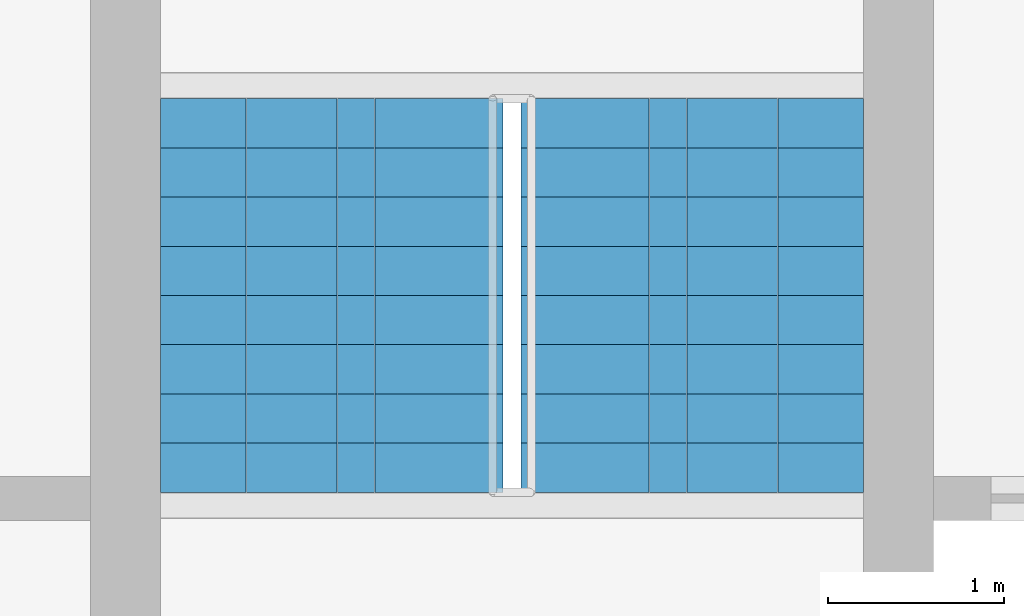
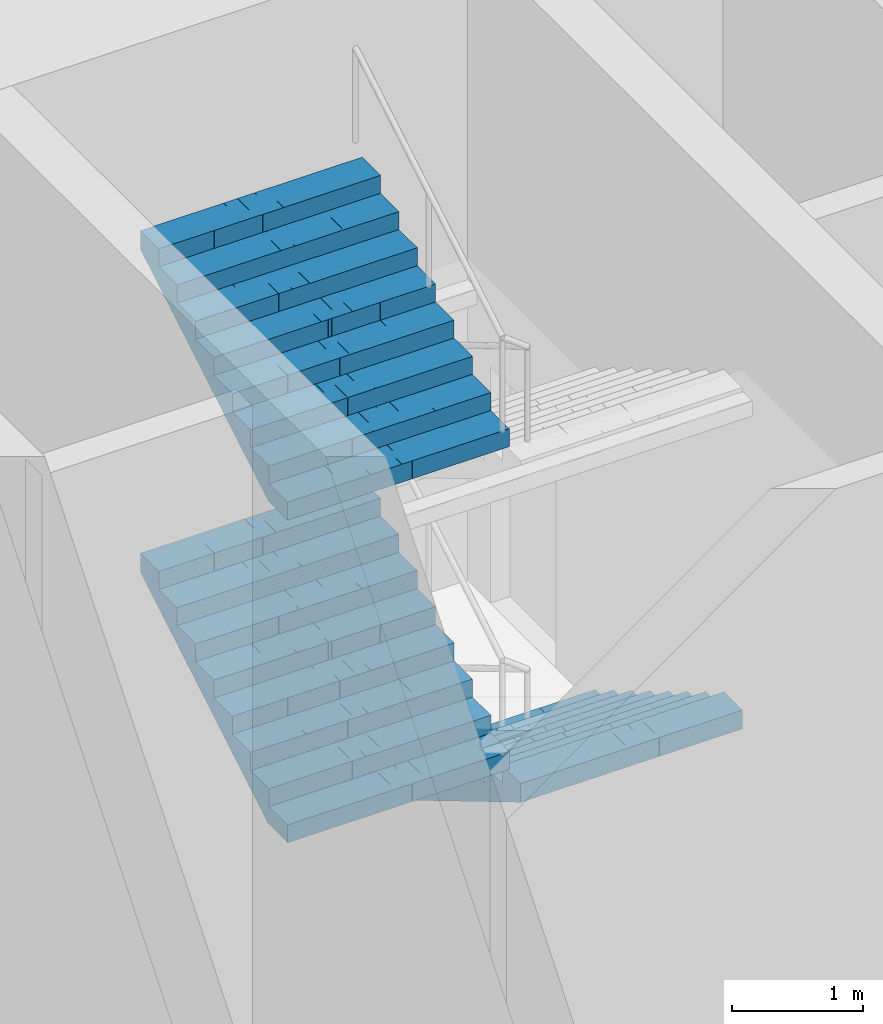
# One storey, part 17 of 19: 3 stair flights, 1 element without a shape of its own.
"""IFC4 building model written with IfcOpenShell, lengths in metres."""

from ifc_helpers import new_model, si_unit, direction, frame, origin, place, context, subcontext, project, spatial, polyline, outline, extrude, material, type_object, element, aggregate, save


model = new_model("IFC4")

# Units and contexts
model_context = context("Model", 3, precision=1e-05, world=origin(), true_north=direction((0.0, 1.0)))
body_context = subcontext(model_context, "Body", "Model", "MODEL_VIEW")
ifc_project = project(units=[si_unit("LENGTHUNIT", "METRE"), si_unit("AREAUNIT", "SQUARE_METRE"), si_unit("VOLUMEUNIT", "CUBIC_METRE"), si_unit("PLANEANGLEUNIT", "RADIAN"), si_unit("MASSUNIT", "GRAM", prefix="KILO")], contexts=[model_context])

# Site, building, storey
site_placement = place(None, origin())
site = spatial("IfcSite", under=ifc_project, at=site_placement, CompositionType="ELEMENT")
building_placement = place(site_placement, origin())
building = spatial("IfcBuilding", under=site, at=building_placement, Name="Mizan Broadcast Tower", CompositionType="ELEMENT")
storey_placement = place(building_placement, frame((0.0, 0.0, 198.89990234375)))
storey = spatial("IfcBuildingStorey", under=building, at=storey_placement, Name="L46", CompositionType="ELEMENT", Elevation=198.89990234375)

# Stair, stair flights
ifc_material_1 = material(Name="Concrete C40/50", Category="concrete")
stair_type = type_object("IfcStairType", Name="EXIT STAIR", PredefinedType="HALF_TURN_STAIR", material=ifc_material_1)
stair_placement = place(storey_placement, origin())
stair = element("IfcStair", 1, at=stair_placement, inside=storey, type_object=stair_type, Name="Stair B L46", PredefinedType="HALF_TURN_STAIR")
ifc_material_2 = material(Name="Concrete C40/50", Category="concrete")
stair_flight_type = type_object("IfcStairFlightType", Name="EXIT STAIR FLIGHT", PredefinedType="STRAIGHT", material=ifc_material_2)
stair_flight_1_placement = place(storey_placement, frame((1.02490234375, 7.89990234375, 0.0), z_axis=(0.0, 0.0, 1.0), x_axis=(0.0, -1.0, 0.0)))
stair_flight_1 = element("IfcStairFlight", 2, at=stair_flight_1_placement, type_object=stair_flight_type, Name="B flight 1", NumberOfRisers=9, NumberOfTreads=8, PredefinedType="STRAIGHT", RiserHeight=0.166666667, TreadLength=0.28, context=body_context, shape_type="SweptSolid", body=[
    extrude(outline(polyline([(0.0, 0.0), (0.0, 0.166748046875), (0.280029296875, 0.166748046875), (0.280029296875, 0.333251953125), (0.56005859375, 0.333251953125), (0.56005859375, 0.5), (0.840087890625, 0.5), (0.840087890625, 0.666748046875), (1.1201171875, 0.666748046875), (1.1201171875, 0.833251953125), (1.39990234375, 0.833251953125), (1.39990234375, 1.0), (1.679931640625, 1.0), (1.679931640625, 1.166748046875), (1.9599609375, 1.166748046875), (1.9599609375, 1.333251953125), (2.239990234375, 1.333251953125), (2.239990234375, 1.5), (2.239990234375, 1.158935546875), (0.29296875, 0.0), (0.0, 0.0)])), frame((0.0, 0.97509765625, 0.0), z_axis=(0.0, -1.0, 0.0), x_axis=(1.0, 0.0, 0.0)), (0.0, 0.0, 1.0), 0.4873046875),
    extrude(outline(polyline([(0.0, 0.0), (0.0, 0.166748046875), (0.280029296875, 0.166748046875), (0.280029296875, 0.333251953125), (0.56005859375, 0.333251953125), (0.56005859375, 0.5), (0.840087890625, 0.5), (0.840087890625, 0.666748046875), (1.1201171875, 0.666748046875), (1.1201171875, 0.833251953125), (1.39990234375, 0.833251953125), (1.39990234375, 1.0), (1.679931640625, 1.0), (1.679931640625, 1.166748046875), (1.9599609375, 1.166748046875), (1.9599609375, 1.333251953125), (2.239990234375, 1.333251953125), (2.239990234375, 1.5), (2.239990234375, 1.158935546875), (0.29296875, 0.0), (0.0, 0.0)])), frame((0.0, 0.4873046875, 0.0), z_axis=(0.0, -1.0, 0.0), x_axis=(1.0, 0.0, 0.0)), (0.0, 0.0, 1.0), 0.2431640625),
    extrude(outline(polyline([(0.0, 0.0), (0.0, 0.166748046875), (0.280029296875, 0.166748046875), (0.280029296875, 0.333251953125), (0.56005859375, 0.333251953125), (0.56005859375, 0.5), (0.840087890625, 0.5), (0.840087890625, 0.666748046875), (1.1201171875, 0.666748046875), (1.1201171875, 0.833251953125), (1.39990234375, 0.833251953125), (1.39990234375, 1.0), (1.679931640625, 1.0), (1.679931640625, 1.166748046875), (1.9599609375, 1.166748046875), (1.9599609375, 1.333251953125), (2.239990234375, 1.333251953125), (2.239990234375, 1.5), (2.239990234375, 1.158935546875), (0.29296875, 0.0), (0.0, 0.0)])), frame((0.0, 0.24365234375, 0.0), z_axis=(0.0, -1.0, 0.0), x_axis=(1.0, 0.0, 0.0)), (0.0, 0.0, 1.0), 0.121337890625),
    extrude(outline(polyline([(0.0, 0.0), (0.0, 0.166748046875), (0.280029296875, 0.166748046875), (0.280029296875, 0.333251953125), (0.56005859375, 0.333251953125), (0.56005859375, 0.5), (0.840087890625, 0.5), (0.840087890625, 0.666748046875), (1.1201171875, 0.666748046875), (1.1201171875, 0.833251953125), (1.39990234375, 0.833251953125), (1.39990234375, 1.0), (1.679931640625, 1.0), (1.679931640625, 1.166748046875), (1.9599609375, 1.166748046875), (1.9599609375, 1.333251953125), (2.239990234375, 1.333251953125), (2.239990234375, 1.5), (2.239990234375, 1.158935546875), (0.29296875, 0.0), (0.0, 0.0)])), frame((0.0, 0.121826171875, 0.0), z_axis=(0.0, -1.0, 0.0), x_axis=(1.0, 0.0, 0.0)), (0.0, 0.0, 1.0), 0.060546875),
    extrude(outline(polyline([(0.0, 0.0), (0.0, 0.166748046875), (0.280029296875, 0.166748046875), (0.280029296875, 0.333251953125), (0.56005859375, 0.333251953125), (0.56005859375, 0.5), (0.840087890625, 0.5), (0.840087890625, 0.666748046875), (1.1201171875, 0.666748046875), (1.1201171875, 0.833251953125), (1.39990234375, 0.833251953125), (1.39990234375, 1.0), (1.679931640625, 1.0), (1.679931640625, 1.166748046875), (1.9599609375, 1.166748046875), (1.9599609375, 1.333251953125), (2.239990234375, 1.333251953125), (2.239990234375, 1.5), (2.239990234375, 1.158935546875), (0.29296875, 0.0), (0.0, 0.0)])), frame((0.0, 0.060791015625, 0.0), z_axis=(0.0, -1.0, 0.0), x_axis=(1.0, 0.0, 0.0)), (0.0, 0.0, 1.0), 0.030029296875),
    extrude(outline(polyline([(0.0, 0.0), (0.0, 0.166748046875), (0.280029296875, 0.166748046875), (0.280029296875, 0.333251953125), (0.56005859375, 0.333251953125), (0.56005859375, 0.5), (0.840087890625, 0.5), (0.840087890625, 0.666748046875), (1.1201171875, 0.666748046875), (1.1201171875, 0.833251953125), (1.39990234375, 0.833251953125), (1.39990234375, 1.0), (1.679931640625, 1.0), (1.679931640625, 1.166748046875), (1.9599609375, 1.166748046875), (1.9599609375, 1.333251953125), (2.239990234375, 1.333251953125), (2.239990234375, 1.5), (2.239990234375, 1.158935546875), (0.29296875, 0.0), (0.0, 0.0)])), frame((0.0, 0.0302734375, 0.0), z_axis=(0.0, -1.0, 0.0), x_axis=(1.0, 0.0, 0.0)), (0.0, 0.0, 1.0), 0.060302734375),
    extrude(outline(polyline([(0.0, 0.0), (0.0, 0.166748046875), (0.280029296875, 0.166748046875), (0.280029296875, 0.333251953125), (0.56005859375, 0.333251953125), (0.56005859375, 0.5), (0.840087890625, 0.5), (0.840087890625, 0.666748046875), (1.1201171875, 0.666748046875), (1.1201171875, 0.833251953125), (1.39990234375, 0.833251953125), (1.39990234375, 1.0), (1.679931640625, 1.0), (1.679931640625, 1.166748046875), (1.9599609375, 1.166748046875), (1.9599609375, 1.333251953125), (2.239990234375, 1.333251953125), (2.239990234375, 1.5), (2.239990234375, 1.158935546875), (0.29296875, 0.0), (0.0, 0.0)])), frame((0.0, -0.030517578125, 0.0), z_axis=(0.0, -1.0, 0.0), x_axis=(1.0, 0.0, 0.0)), (0.0, 0.0, 1.0), 0.030029296875),
    extrude(outline(polyline([(0.0, 0.0), (0.0, 0.166748046875), (0.280029296875, 0.166748046875), (0.280029296875, 0.333251953125), (0.56005859375, 0.333251953125), (0.56005859375, 0.5), (0.840087890625, 0.5), (0.840087890625, 0.666748046875), (1.1201171875, 0.666748046875), (1.1201171875, 0.833251953125), (1.39990234375, 0.833251953125), (1.39990234375, 1.0), (1.679931640625, 1.0), (1.679931640625, 1.166748046875), (1.9599609375, 1.166748046875), (1.9599609375, 1.333251953125), (2.239990234375, 1.333251953125), (2.239990234375, 1.5), (2.239990234375, 1.158935546875), (0.29296875, 0.0), (0.0, 0.0)])), frame((0.0, -0.06103515625, 0.0), z_axis=(0.0, -1.0, 0.0), x_axis=(1.0, 0.0, 0.0)), (0.0, 0.0, 1.0), 0.060546875),
    extrude(outline(polyline([(0.0, 0.0), (0.0, 0.166748046875), (0.280029296875, 0.166748046875), (0.280029296875, 0.333251953125), (0.56005859375, 0.333251953125), (0.56005859375, 0.5), (0.840087890625, 0.5), (0.840087890625, 0.666748046875), (1.1201171875, 0.666748046875), (1.1201171875, 0.833251953125), (1.39990234375, 0.833251953125), (1.39990234375, 1.0), (1.679931640625, 1.0), (1.679931640625, 1.166748046875), (1.9599609375, 1.166748046875), (1.9599609375, 1.333251953125), (2.239990234375, 1.333251953125), (2.239990234375, 1.5), (2.239990234375, 1.158935546875), (0.29296875, 0.0), (0.0, 0.0)])), frame((0.0, -0.1220703125, 0.0), z_axis=(0.0, -1.0, 0.0), x_axis=(1.0, 0.0, 0.0)), (0.0, 0.0, 1.0), 0.121337890625),
    extrude(outline(polyline([(0.0, 0.0), (0.0, 0.166748046875), (0.280029296875, 0.166748046875), (0.280029296875, 0.333251953125), (0.56005859375, 0.333251953125), (0.56005859375, 0.5), (0.840087890625, 0.5), (0.840087890625, 0.666748046875), (1.1201171875, 0.666748046875), (1.1201171875, 0.833251953125), (1.39990234375, 0.833251953125), (1.39990234375, 1.0), (1.679931640625, 1.0), (1.679931640625, 1.166748046875), (1.9599609375, 1.166748046875), (1.9599609375, 1.333251953125), (2.239990234375, 1.333251953125), (2.239990234375, 1.5), (2.239990234375, 1.158935546875), (0.29296875, 0.0), (0.0, 0.0)])), frame((0.0, -0.243896484375, 0.0), z_axis=(0.0, -1.0, 0.0), x_axis=(1.0, 0.0, 0.0)), (0.0, 0.0, 1.0), 0.2431640625),
    extrude(outline(polyline([(0.0, 0.0), (0.0, 0.166748046875), (0.280029296875, 0.166748046875), (0.280029296875, 0.333251953125), (0.56005859375, 0.333251953125), (0.56005859375, 0.5), (0.840087890625, 0.5), (0.840087890625, 0.666748046875), (1.1201171875, 0.666748046875), (1.1201171875, 0.833251953125), (1.39990234375, 0.833251953125), (1.39990234375, 1.0), (1.679931640625, 1.0), (1.679931640625, 1.166748046875), (1.9599609375, 1.166748046875), (1.9599609375, 1.333251953125), (2.239990234375, 1.333251953125), (2.239990234375, 1.5), (2.239990234375, 1.158935546875), (0.29296875, 0.0), (0.0, 0.0)])), frame((0.0, -0.487548828125, 0.0), z_axis=(0.0, -1.0, 0.0), x_axis=(1.0, 0.0, 0.0)), (0.0, 0.0, 1.0), 0.4873046875),
])
stair_flight_2_placement = place(storey_placement, frame((-1.02490234375, 5.659912109375, 1.5), z_axis=(0.0, 0.0, 1.0), x_axis=(0.0, 1.0, 0.0)))
stair_flight_2 = element("IfcStairFlight", 3, at=stair_flight_2_placement, type_object=stair_flight_type, Name="B flight 2", NumberOfRisers=9, NumberOfTreads=8, PredefinedType="STRAIGHT", RiserHeight=0.166666667, TreadLength=0.28, context=body_context, shape_type="SweptSolid", body=[
    extrude(outline(polyline([(0.0, 0.0), (0.0, 0.166748046875), (0.280029296875, 0.166748046875), (0.280029296875, 0.333251953125), (0.56005859375, 0.333251953125), (0.56005859375, 0.5), (0.840087890625, 0.5), (0.840087890625, 0.666748046875), (1.1201171875, 0.666748046875), (1.1201171875, 0.833251953125), (1.39990234375, 0.833251953125), (1.39990234375, 1.0), (1.679931640625, 1.0), (1.679931640625, 1.166748046875), (1.9599609375, 1.166748046875), (1.9599609375, 1.333251953125), (2.239990234375, 1.333251953125), (2.239990234375, 1.5), (2.239990234375, 1.158935546875), (0.29296875, 0.0), (0.0, 0.0)])), frame((0.0, 0.97509765625, 0.0), z_axis=(0.0, -1.0, 0.0), x_axis=(1.0, 0.0, 0.0)), (0.0, 0.0, 1.0), 0.4873046875),
    extrude(outline(polyline([(0.0, 0.0), (0.0, 0.166748046875), (0.280029296875, 0.166748046875), (0.280029296875, 0.333251953125), (0.56005859375, 0.333251953125), (0.56005859375, 0.5), (0.840087890625, 0.5), (0.840087890625, 0.666748046875), (1.1201171875, 0.666748046875), (1.1201171875, 0.833251953125), (1.39990234375, 0.833251953125), (1.39990234375, 1.0), (1.679931640625, 1.0), (1.679931640625, 1.166748046875), (1.9599609375, 1.166748046875), (1.9599609375, 1.333251953125), (2.239990234375, 1.333251953125), (2.239990234375, 1.5), (2.239990234375, 1.158935546875), (0.29296875, 0.0), (0.0, 0.0)])), frame((0.0, 0.4873046875, 0.0), z_axis=(0.0, -1.0, 0.0), x_axis=(1.0, 0.0, 0.0)), (0.0, 0.0, 1.0), 0.2431640625),
    extrude(outline(polyline([(0.0, 0.0), (0.0, 0.166748046875), (0.280029296875, 0.166748046875), (0.280029296875, 0.333251953125), (0.56005859375, 0.333251953125), (0.56005859375, 0.5), (0.840087890625, 0.5), (0.840087890625, 0.666748046875), (1.1201171875, 0.666748046875), (1.1201171875, 0.833251953125), (1.39990234375, 0.833251953125), (1.39990234375, 1.0), (1.679931640625, 1.0), (1.679931640625, 1.166748046875), (1.9599609375, 1.166748046875), (1.9599609375, 1.333251953125), (2.239990234375, 1.333251953125), (2.239990234375, 1.5), (2.239990234375, 1.158935546875), (0.29296875, 0.0), (0.0, 0.0)])), frame((0.0, 0.24365234375, 0.0), z_axis=(0.0, -1.0, 0.0), x_axis=(1.0, 0.0, 0.0)), (0.0, 0.0, 1.0), 0.121337890625),
    extrude(outline(polyline([(0.0, 0.0), (0.0, 0.166748046875), (0.280029296875, 0.166748046875), (0.280029296875, 0.333251953125), (0.56005859375, 0.333251953125), (0.56005859375, 0.5), (0.840087890625, 0.5), (0.840087890625, 0.666748046875), (1.1201171875, 0.666748046875), (1.1201171875, 0.833251953125), (1.39990234375, 0.833251953125), (1.39990234375, 1.0), (1.679931640625, 1.0), (1.679931640625, 1.166748046875), (1.9599609375, 1.166748046875), (1.9599609375, 1.333251953125), (2.239990234375, 1.333251953125), (2.239990234375, 1.5), (2.239990234375, 1.158935546875), (0.29296875, 0.0), (0.0, 0.0)])), frame((0.0, 0.121826171875, 0.0), z_axis=(0.0, -1.0, 0.0), x_axis=(1.0, 0.0, 0.0)), (0.0, 0.0, 1.0), 0.060546875),
    extrude(outline(polyline([(0.0, 0.0), (0.0, 0.166748046875), (0.280029296875, 0.166748046875), (0.280029296875, 0.333251953125), (0.56005859375, 0.333251953125), (0.56005859375, 0.5), (0.840087890625, 0.5), (0.840087890625, 0.666748046875), (1.1201171875, 0.666748046875), (1.1201171875, 0.833251953125), (1.39990234375, 0.833251953125), (1.39990234375, 1.0), (1.679931640625, 1.0), (1.679931640625, 1.166748046875), (1.9599609375, 1.166748046875), (1.9599609375, 1.333251953125), (2.239990234375, 1.333251953125), (2.239990234375, 1.5), (2.239990234375, 1.158935546875), (0.29296875, 0.0), (0.0, 0.0)])), frame((0.0, 0.060791015625, 0.0), z_axis=(0.0, -1.0, 0.0), x_axis=(1.0, 0.0, 0.0)), (0.0, 0.0, 1.0), 0.030029296875),
    extrude(outline(polyline([(0.0, 0.0), (0.0, 0.166748046875), (0.280029296875, 0.166748046875), (0.280029296875, 0.333251953125), (0.56005859375, 0.333251953125), (0.56005859375, 0.5), (0.840087890625, 0.5), (0.840087890625, 0.666748046875), (1.1201171875, 0.666748046875), (1.1201171875, 0.833251953125), (1.39990234375, 0.833251953125), (1.39990234375, 1.0), (1.679931640625, 1.0), (1.679931640625, 1.166748046875), (1.9599609375, 1.166748046875), (1.9599609375, 1.333251953125), (2.239990234375, 1.333251953125), (2.239990234375, 1.5), (2.239990234375, 1.158935546875), (0.29296875, 0.0), (0.0, 0.0)])), frame((0.0, 0.0302734375, 0.0), z_axis=(0.0, -1.0, 0.0), x_axis=(1.0, 0.0, 0.0)), (0.0, 0.0, 1.0), 0.060302734375),
    extrude(outline(polyline([(0.0, 0.0), (0.0, 0.166748046875), (0.280029296875, 0.166748046875), (0.280029296875, 0.333251953125), (0.56005859375, 0.333251953125), (0.56005859375, 0.5), (0.840087890625, 0.5), (0.840087890625, 0.666748046875), (1.1201171875, 0.666748046875), (1.1201171875, 0.833251953125), (1.39990234375, 0.833251953125), (1.39990234375, 1.0), (1.679931640625, 1.0), (1.679931640625, 1.166748046875), (1.9599609375, 1.166748046875), (1.9599609375, 1.333251953125), (2.239990234375, 1.333251953125), (2.239990234375, 1.5), (2.239990234375, 1.158935546875), (0.29296875, 0.0), (0.0, 0.0)])), frame((0.0, -0.030517578125, 0.0), z_axis=(0.0, -1.0, 0.0), x_axis=(1.0, 0.0, 0.0)), (0.0, 0.0, 1.0), 0.030029296875),
    extrude(outline(polyline([(0.0, 0.0), (0.0, 0.166748046875), (0.280029296875, 0.166748046875), (0.280029296875, 0.333251953125), (0.56005859375, 0.333251953125), (0.56005859375, 0.5), (0.840087890625, 0.5), (0.840087890625, 0.666748046875), (1.1201171875, 0.666748046875), (1.1201171875, 0.833251953125), (1.39990234375, 0.833251953125), (1.39990234375, 1.0), (1.679931640625, 1.0), (1.679931640625, 1.166748046875), (1.9599609375, 1.166748046875), (1.9599609375, 1.333251953125), (2.239990234375, 1.333251953125), (2.239990234375, 1.5), (2.239990234375, 1.158935546875), (0.29296875, 0.0), (0.0, 0.0)])), frame((0.0, -0.06103515625, 0.0), z_axis=(0.0, -1.0, 0.0), x_axis=(1.0, 0.0, 0.0)), (0.0, 0.0, 1.0), 0.060546875),
    extrude(outline(polyline([(0.0, 0.0), (0.0, 0.166748046875), (0.280029296875, 0.166748046875), (0.280029296875, 0.333251953125), (0.56005859375, 0.333251953125), (0.56005859375, 0.5), (0.840087890625, 0.5), (0.840087890625, 0.666748046875), (1.1201171875, 0.666748046875), (1.1201171875, 0.833251953125), (1.39990234375, 0.833251953125), (1.39990234375, 1.0), (1.679931640625, 1.0), (1.679931640625, 1.166748046875), (1.9599609375, 1.166748046875), (1.9599609375, 1.333251953125), (2.239990234375, 1.333251953125), (2.239990234375, 1.5), (2.239990234375, 1.158935546875), (0.29296875, 0.0), (0.0, 0.0)])), frame((0.0, -0.1220703125, 0.0), z_axis=(0.0, -1.0, 0.0), x_axis=(1.0, 0.0, 0.0)), (0.0, 0.0, 1.0), 0.121337890625),
    extrude(outline(polyline([(0.0, 0.0), (0.0, 0.166748046875), (0.280029296875, 0.166748046875), (0.280029296875, 0.333251953125), (0.56005859375, 0.333251953125), (0.56005859375, 0.5), (0.840087890625, 0.5), (0.840087890625, 0.666748046875), (1.1201171875, 0.666748046875), (1.1201171875, 0.833251953125), (1.39990234375, 0.833251953125), (1.39990234375, 1.0), (1.679931640625, 1.0), (1.679931640625, 1.166748046875), (1.9599609375, 1.166748046875), (1.9599609375, 1.333251953125), (2.239990234375, 1.333251953125), (2.239990234375, 1.5), (2.239990234375, 1.158935546875), (0.29296875, 0.0), (0.0, 0.0)])), frame((0.0, -0.243896484375, 0.0), z_axis=(0.0, -1.0, 0.0), x_axis=(1.0, 0.0, 0.0)), (0.0, 0.0, 1.0), 0.2431640625),
    extrude(outline(polyline([(0.0, 0.0), (0.0, 0.166748046875), (0.280029296875, 0.166748046875), (0.280029296875, 0.333251953125), (0.56005859375, 0.333251953125), (0.56005859375, 0.5), (0.840087890625, 0.5), (0.840087890625, 0.666748046875), (1.1201171875, 0.666748046875), (1.1201171875, 0.833251953125), (1.39990234375, 0.833251953125), (1.39990234375, 1.0), (1.679931640625, 1.0), (1.679931640625, 1.166748046875), (1.9599609375, 1.166748046875), (1.9599609375, 1.333251953125), (2.239990234375, 1.333251953125), (2.239990234375, 1.5), (2.239990234375, 1.158935546875), (0.29296875, 0.0), (0.0, 0.0)])), frame((0.0, -0.487548828125, 0.0), z_axis=(0.0, -1.0, 0.0), x_axis=(1.0, 0.0, 0.0)), (0.0, 0.0, 1.0), 0.4873046875),
])
stair_flight_3_placement = place(storey_placement, frame((-1.02490234375, 5.659912109375, 4.5), z_axis=(0.0, 0.0, 1.0), x_axis=(0.0, 1.0, 0.0)))
stair_flight_3 = element("IfcStairFlight", 4, at=stair_flight_3_placement, type_object=stair_flight_type, Name="B flight 4", NumberOfRisers=9, NumberOfTreads=8, PredefinedType="STRAIGHT", RiserHeight=0.166666667, TreadLength=0.28, context=body_context, shape_type="SweptSolid", body=[
    extrude(outline(polyline([(0.0, 0.0), (0.0, 0.166748046875), (0.280029296875, 0.166748046875), (0.280029296875, 0.333251953125), (0.56005859375, 0.333251953125), (0.56005859375, 0.5), (0.840087890625, 0.5), (0.840087890625, 0.666748046875), (1.1201171875, 0.666748046875), (1.1201171875, 0.833251953125), (1.39990234375, 0.833251953125), (1.39990234375, 1.0), (1.679931640625, 1.0), (1.679931640625, 1.166748046875), (1.9599609375, 1.166748046875), (1.9599609375, 1.333251953125), (2.239990234375, 1.333251953125), (2.239990234375, 1.5), (2.239990234375, 1.158935546875), (0.29296875, 0.0), (0.0, 0.0)])), frame((0.0, 0.97509765625, 0.0), z_axis=(0.0, -1.0, 0.0), x_axis=(1.0, 0.0, 0.0)), (0.0, 0.0, 1.0), 0.4873046875),
    extrude(outline(polyline([(0.0, 0.0), (0.0, 0.166748046875), (0.280029296875, 0.166748046875), (0.280029296875, 0.333251953125), (0.56005859375, 0.333251953125), (0.56005859375, 0.5), (0.840087890625, 0.5), (0.840087890625, 0.666748046875), (1.1201171875, 0.666748046875), (1.1201171875, 0.833251953125), (1.39990234375, 0.833251953125), (1.39990234375, 1.0), (1.679931640625, 1.0), (1.679931640625, 1.166748046875), (1.9599609375, 1.166748046875), (1.9599609375, 1.333251953125), (2.239990234375, 1.333251953125), (2.239990234375, 1.5), (2.239990234375, 1.158935546875), (0.29296875, 0.0), (0.0, 0.0)])), frame((0.0, 0.4873046875, 0.0), z_axis=(0.0, -1.0, 0.0), x_axis=(1.0, 0.0, 0.0)), (0.0, 0.0, 1.0), 0.2431640625),
    extrude(outline(polyline([(0.0, 0.0), (0.0, 0.166748046875), (0.280029296875, 0.166748046875), (0.280029296875, 0.333251953125), (0.56005859375, 0.333251953125), (0.56005859375, 0.5), (0.840087890625, 0.5), (0.840087890625, 0.666748046875), (1.1201171875, 0.666748046875), (1.1201171875, 0.833251953125), (1.39990234375, 0.833251953125), (1.39990234375, 1.0), (1.679931640625, 1.0), (1.679931640625, 1.166748046875), (1.9599609375, 1.166748046875), (1.9599609375, 1.333251953125), (2.239990234375, 1.333251953125), (2.239990234375, 1.5), (2.239990234375, 1.158935546875), (0.29296875, 0.0), (0.0, 0.0)])), frame((0.0, 0.24365234375, 0.0), z_axis=(0.0, -1.0, 0.0), x_axis=(1.0, 0.0, 0.0)), (0.0, 0.0, 1.0), 0.121337890625),
    extrude(outline(polyline([(0.0, 0.0), (0.0, 0.166748046875), (0.280029296875, 0.166748046875), (0.280029296875, 0.333251953125), (0.56005859375, 0.333251953125), (0.56005859375, 0.5), (0.840087890625, 0.5), (0.840087890625, 0.666748046875), (1.1201171875, 0.666748046875), (1.1201171875, 0.833251953125), (1.39990234375, 0.833251953125), (1.39990234375, 1.0), (1.679931640625, 1.0), (1.679931640625, 1.166748046875), (1.9599609375, 1.166748046875), (1.9599609375, 1.333251953125), (2.239990234375, 1.333251953125), (2.239990234375, 1.5), (2.239990234375, 1.158935546875), (0.29296875, 0.0), (0.0, 0.0)])), frame((0.0, 0.121826171875, 0.0), z_axis=(0.0, -1.0, 0.0), x_axis=(1.0, 0.0, 0.0)), (0.0, 0.0, 1.0), 0.060546875),
    extrude(outline(polyline([(0.0, 0.0), (0.0, 0.166748046875), (0.280029296875, 0.166748046875), (0.280029296875, 0.333251953125), (0.56005859375, 0.333251953125), (0.56005859375, 0.5), (0.840087890625, 0.5), (0.840087890625, 0.666748046875), (1.1201171875, 0.666748046875), (1.1201171875, 0.833251953125), (1.39990234375, 0.833251953125), (1.39990234375, 1.0), (1.679931640625, 1.0), (1.679931640625, 1.166748046875), (1.9599609375, 1.166748046875), (1.9599609375, 1.333251953125), (2.239990234375, 1.333251953125), (2.239990234375, 1.5), (2.239990234375, 1.158935546875), (0.29296875, 0.0), (0.0, 0.0)])), frame((0.0, 0.060791015625, 0.0), z_axis=(0.0, -1.0, 0.0), x_axis=(1.0, 0.0, 0.0)), (0.0, 0.0, 1.0), 0.030029296875),
    extrude(outline(polyline([(0.0, 0.0), (0.0, 0.166748046875), (0.280029296875, 0.166748046875), (0.280029296875, 0.333251953125), (0.56005859375, 0.333251953125), (0.56005859375, 0.5), (0.840087890625, 0.5), (0.840087890625, 0.666748046875), (1.1201171875, 0.666748046875), (1.1201171875, 0.833251953125), (1.39990234375, 0.833251953125), (1.39990234375, 1.0), (1.679931640625, 1.0), (1.679931640625, 1.166748046875), (1.9599609375, 1.166748046875), (1.9599609375, 1.333251953125), (2.239990234375, 1.333251953125), (2.239990234375, 1.5), (2.239990234375, 1.158935546875), (0.29296875, 0.0), (0.0, 0.0)])), frame((0.0, 0.0302734375, 0.0), z_axis=(0.0, -1.0, 0.0), x_axis=(1.0, 0.0, 0.0)), (0.0, 0.0, 1.0), 0.060302734375),
    extrude(outline(polyline([(0.0, 0.0), (0.0, 0.166748046875), (0.280029296875, 0.166748046875), (0.280029296875, 0.333251953125), (0.56005859375, 0.333251953125), (0.56005859375, 0.5), (0.840087890625, 0.5), (0.840087890625, 0.666748046875), (1.1201171875, 0.666748046875), (1.1201171875, 0.833251953125), (1.39990234375, 0.833251953125), (1.39990234375, 1.0), (1.679931640625, 1.0), (1.679931640625, 1.166748046875), (1.9599609375, 1.166748046875), (1.9599609375, 1.333251953125), (2.239990234375, 1.333251953125), (2.239990234375, 1.5), (2.239990234375, 1.158935546875), (0.29296875, 0.0), (0.0, 0.0)])), frame((0.0, -0.030517578125, 0.0), z_axis=(0.0, -1.0, 0.0), x_axis=(1.0, 0.0, 0.0)), (0.0, 0.0, 1.0), 0.030029296875),
    extrude(outline(polyline([(0.0, 0.0), (0.0, 0.166748046875), (0.280029296875, 0.166748046875), (0.280029296875, 0.333251953125), (0.56005859375, 0.333251953125), (0.56005859375, 0.5), (0.840087890625, 0.5), (0.840087890625, 0.666748046875), (1.1201171875, 0.666748046875), (1.1201171875, 0.833251953125), (1.39990234375, 0.833251953125), (1.39990234375, 1.0), (1.679931640625, 1.0), (1.679931640625, 1.166748046875), (1.9599609375, 1.166748046875), (1.9599609375, 1.333251953125), (2.239990234375, 1.333251953125), (2.239990234375, 1.5), (2.239990234375, 1.158935546875), (0.29296875, 0.0), (0.0, 0.0)])), frame((0.0, -0.06103515625, 0.0), z_axis=(0.0, -1.0, 0.0), x_axis=(1.0, 0.0, 0.0)), (0.0, 0.0, 1.0), 0.060546875),
    extrude(outline(polyline([(0.0, 0.0), (0.0, 0.166748046875), (0.280029296875, 0.166748046875), (0.280029296875, 0.333251953125), (0.56005859375, 0.333251953125), (0.56005859375, 0.5), (0.840087890625, 0.5), (0.840087890625, 0.666748046875), (1.1201171875, 0.666748046875), (1.1201171875, 0.833251953125), (1.39990234375, 0.833251953125), (1.39990234375, 1.0), (1.679931640625, 1.0), (1.679931640625, 1.166748046875), (1.9599609375, 1.166748046875), (1.9599609375, 1.333251953125), (2.239990234375, 1.333251953125), (2.239990234375, 1.5), (2.239990234375, 1.158935546875), (0.29296875, 0.0), (0.0, 0.0)])), frame((0.0, -0.1220703125, 0.0), z_axis=(0.0, -1.0, 0.0), x_axis=(1.0, 0.0, 0.0)), (0.0, 0.0, 1.0), 0.121337890625),
    extrude(outline(polyline([(0.0, 0.0), (0.0, 0.166748046875), (0.280029296875, 0.166748046875), (0.280029296875, 0.333251953125), (0.56005859375, 0.333251953125), (0.56005859375, 0.5), (0.840087890625, 0.5), (0.840087890625, 0.666748046875), (1.1201171875, 0.666748046875), (1.1201171875, 0.833251953125), (1.39990234375, 0.833251953125), (1.39990234375, 1.0), (1.679931640625, 1.0), (1.679931640625, 1.166748046875), (1.9599609375, 1.166748046875), (1.9599609375, 1.333251953125), (2.239990234375, 1.333251953125), (2.239990234375, 1.5), (2.239990234375, 1.158935546875), (0.29296875, 0.0), (0.0, 0.0)])), frame((0.0, -0.243896484375, 0.0), z_axis=(0.0, -1.0, 0.0), x_axis=(1.0, 0.0, 0.0)), (0.0, 0.0, 1.0), 0.2431640625),
    extrude(outline(polyline([(0.0, 0.0), (0.0, 0.166748046875), (0.280029296875, 0.166748046875), (0.280029296875, 0.333251953125), (0.56005859375, 0.333251953125), (0.56005859375, 0.5), (0.840087890625, 0.5), (0.840087890625, 0.666748046875), (1.1201171875, 0.666748046875), (1.1201171875, 0.833251953125), (1.39990234375, 0.833251953125), (1.39990234375, 1.0), (1.679931640625, 1.0), (1.679931640625, 1.166748046875), (1.9599609375, 1.166748046875), (1.9599609375, 1.333251953125), (2.239990234375, 1.333251953125), (2.239990234375, 1.5), (2.239990234375, 1.158935546875), (0.29296875, 0.0), (0.0, 0.0)])), frame((0.0, -0.487548828125, 0.0), z_axis=(0.0, -1.0, 0.0), x_axis=(1.0, 0.0, 0.0)), (0.0, 0.0, 1.0), 0.4873046875),
])
aggregate(stair, [stair_flight_1, stair_flight_2, stair_flight_3])

save(model, "model.ifc")
